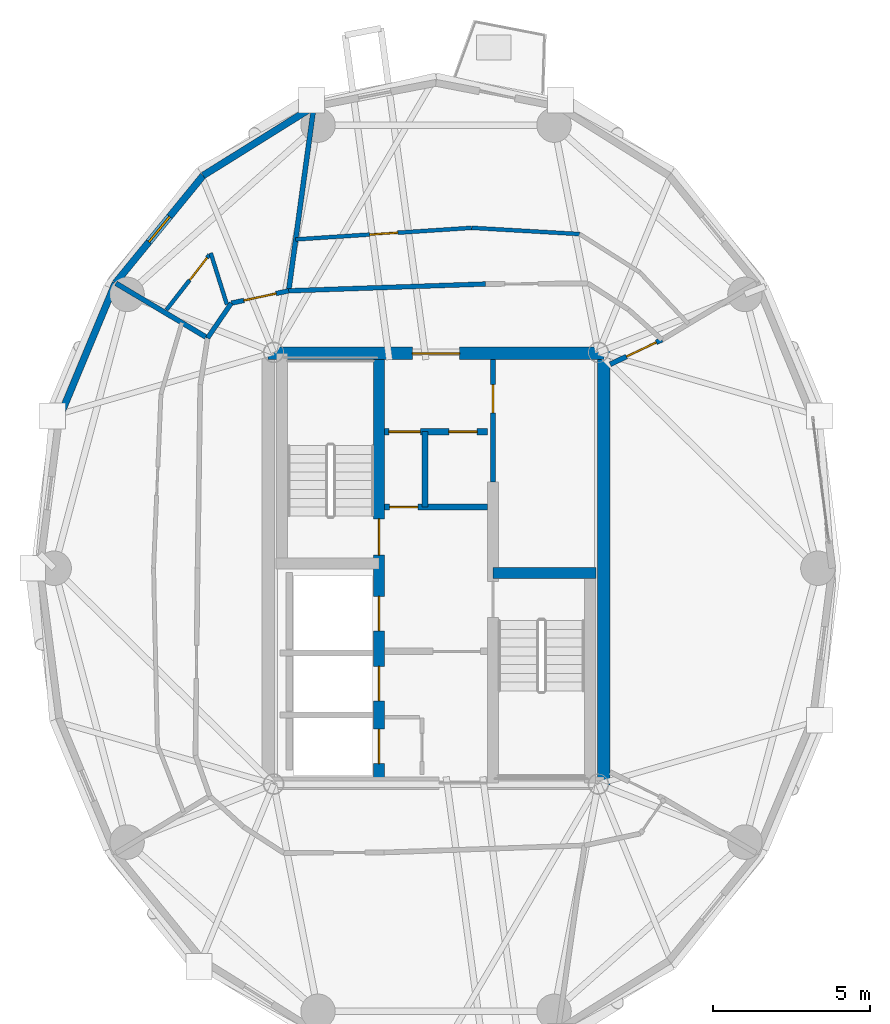
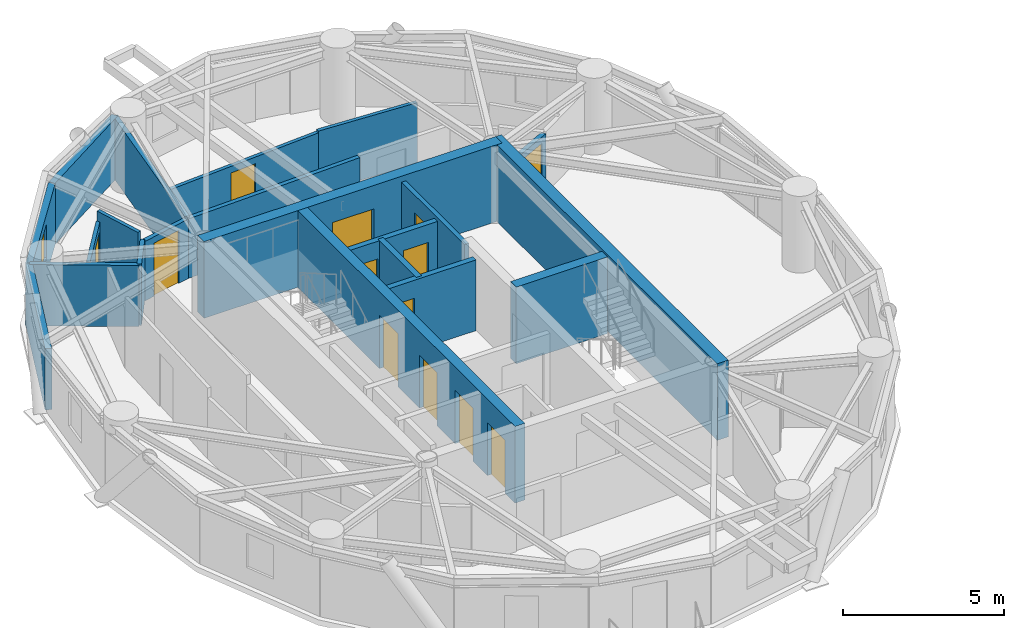
# One storey, part 9 of 16: 21 walls, 13 doors, 1 window, 14 openings.
"""IFC4 building model written with IfcOpenShell, lengths in metres."""

from ifc_helpers import new_model, si_unit, direction, frame, frame_2d, origin, place, context, subcontext, project, spatial, rectangle, extrude, source, transform, mapped, material, layer, layer_set, type_object, element, fill, save


model = new_model("IFC4")

# Units and contexts
model_context = context("Model", 3, precision=1e-05, world=origin(), true_north=direction((0.0, 1.0)))
body_context = subcontext(model_context, "Body", "Model", "MODEL_VIEW")
ifc_project = project(units=[si_unit("LENGTHUNIT", "METRE"), si_unit("AREAUNIT", "SQUARE_METRE"), si_unit("VOLUMEUNIT", "CUBIC_METRE"), si_unit("PLANEANGLEUNIT", "RADIAN"), si_unit("MASSUNIT", "GRAM", prefix="KILO")], contexts=[model_context])

# Site, building, storey
site_placement = place(None, origin())
site = spatial("IfcSite", under=ifc_project, at=site_placement, CompositionType="ELEMENT")
building_placement = place(site_placement, origin())
building = spatial("IfcBuilding", under=site, at=building_placement, Name="Cununo Teusaquillo Station Towers", CompositionType="ELEMENT")
storey_placement = place(building_placement, frame((0.0, 0.0, 214.1201171875)))
storey = spatial("IfcBuildingStorey", under=building, at=storey_placement, Name="L68", CompositionType="ELEMENT", Elevation=214.1201171875)

# Wall, openings, doors
ifc_material_1 = material(Name="Concrete C50/60", Category="concrete")
ifc_layer_1 = layer(ifc_material_1, 0.35009765625)
ifc_layer_set_1 = layer_set([ifc_layer_1], Name="Concrete C50/60")
wall_type_1 = type_object("IfcWallType", Name="WL-CORE-350", PredefinedType="SHEAR", material=ifc_layer_set_1)
wall_1_placement = place(storey_placement, frame((14.68505859375, 17.64990234375, 0.0), z_axis=(0.0, 0.0, 1.0), x_axis=(0.0, 1.0, 0.0)))
wall_1 = element("IfcWall", 1, at=wall_1_placement, inside=storey, type_object=wall_type_1, Name="L68 Tower A Core Shear Wall IW", PredefinedType="SHEAR", context=body_context, shape_type="SweptSolid", body=[
    extrude(rectangle(XDim=13.7001953125, YDim=0.35009765625, at=frame_2d((6.85009765625, 0.0))), origin(), (0.0, 0.0, 1.0), 2.909912109375),
])
shared_shape_1 = source(origin(), body_context, "Body", "SweptSolid", [
    extrude(rectangle(XDim=1.10009765625, YDim=2.014892578125, at=frame_2d((0.550048828125, 1.00732421875))), frame((0.0, 0.18505859375, 0.0), z_axis=(0.0, -1.0, 0.0), x_axis=(1.0, 0.0, 0.0)), (0.0, 0.0, 1.0), 0.3701171875),
])
opening_1_placement = place(wall_1_placement, frame((4.85009765625, 0.0, 0.0)))
opening_1 = element("IfcOpeningElement", 2, at=opening_1_placement, cuts=wall_1, Name="Opening LD-01", PredefinedType="OPENING", context=body_context, shape_type="MappedRepresentation", body=[
    mapped(shared_shape_1, transform((0.0, 0.0, 0.0), x_axis=(1.0, 0.0, 0.0), y_axis=(0.0, 1.0, 0.0), z_axis=(0.0, 0.0, 1.0), scale=1.0)),
])
opening_2_placement = place(wall_1_placement, frame((0.625, 0.0, 0.0)))
opening_2 = element("IfcOpeningElement", 3, at=opening_2_placement, cuts=wall_1, Name="Opening LD-01", PredefinedType="OPENING", context=body_context, shape_type="MappedRepresentation", body=[
    mapped(shared_shape_1, transform((0.0, 0.0, 0.0), x_axis=(1.0, 0.0, 0.0), y_axis=(0.0, 1.0, 0.0), z_axis=(0.0, 0.0, 1.0), scale=1.0)),
])
opening_3_placement = place(wall_1_placement, frame((2.625, 0.0, 0.0)))
opening_3 = element("IfcOpeningElement", 4, at=opening_3_placement, cuts=wall_1, Name="Opening LD-01", PredefinedType="OPENING", context=body_context, shape_type="MappedRepresentation", body=[
    mapped(shared_shape_1, transform((0.0, 0.0, 0.0), x_axis=(1.0, 0.0, 0.0), y_axis=(0.0, 1.0, 0.0), z_axis=(0.0, 0.0, 1.0), scale=1.0)),
])
shared_shape_2 = source(origin(), body_context, "Body", "SweptSolid", [
    extrude(rectangle(XDim=1.14990234375, YDim=2.02001953125, at=frame_2d((0.574951171875, 1.010009765625))), frame((0.0, 0.18505859375, 0.0), z_axis=(0.0, -1.0, 0.0), x_axis=(1.0, 0.0, 0.0)), (0.0, 0.0, 1.0), 0.3701171875),
])
opening_4_placement = place(wall_1_placement, frame((7.27001953125, 0.0, 0.0)))
opening_4 = element("IfcOpeningElement", 5, at=opening_4_placement, cuts=wall_1, Name="Opening D-ST1", PredefinedType="OPENING", context=body_context, shape_type="MappedRepresentation", body=[
    mapped(shared_shape_2, transform((0.0, 0.0, 0.0), x_axis=(1.0, 0.0, 0.0), y_axis=(0.0, 1.0, 0.0), z_axis=(0.0, 0.0, 1.0), scale=1.0)),
])
ifc_material_2 = material(Name="Galvanised fire-rated hollow steel door assembly", Category="steel")
door_type_1 = type_object("IfcDoorType", Name="DR-LIFT-1100", OperationType="SLIDING_TO_LEFT", PredefinedType="DOOR", material=ifc_material_2)
shared_shape_3 = source(origin(), body_context, "Body", "SweptSolid", [
    extrude(rectangle(XDim=1.10009765625, YDim=2.014892578125, at=frame_2d((0.550048828125, 1.00732421875))), frame((0.0, 0.02490234375, 0.0), z_axis=(0.0, -1.0, 0.0), x_axis=(1.0, 0.0, 0.0)), (0.0, 0.0, 1.0), 0.050048828125),
])
door_1_placement = place(opening_1_placement, origin())
door_1 = element("IfcDoor", 6, at=door_1_placement, inside=storey, type_object=door_type_1, Name="L68 Lift FL-T1 Sliding Landing Door", OperationType="SLIDING_TO_LEFT", OverallHeight=2.014892578125, OverallWidth=1.10009765625, PredefinedType="DOOR", context=body_context, shape_type="MappedRepresentation", body=[
    mapped(shared_shape_3, transform((0.0, 0.0, 0.0), x_axis=(1.0, 0.0, 0.0), y_axis=(0.0, 1.0, 0.0), z_axis=(0.0, 0.0, 1.0), scale=1.0)),
])
fill(opening_1, door_1)
door_2_placement = place(opening_2_placement, origin())
door_2 = element("IfcDoor", 7, at=door_2_placement, inside=storey, type_object=door_type_1, Name="L68 Lift PL-T1-H1 Sliding Landing Door", OperationType="SLIDING_TO_LEFT", OverallHeight=2.014892578125, OverallWidth=1.10009765625, PredefinedType="DOOR", context=body_context, shape_type="MappedRepresentation", body=[
    mapped(shared_shape_3, transform((0.0, 0.0, 0.0), x_axis=(1.0, 0.0, 0.0), y_axis=(0.0, 1.0, 0.0), z_axis=(0.0, 0.0, 1.0), scale=1.0)),
])
fill(opening_2, door_2)
door_3_placement = place(opening_3_placement, origin())
door_3 = element("IfcDoor", 8, at=door_3_placement, inside=storey, type_object=door_type_1, Name="L68 Lift PL-T1-H2 Sliding Landing Door", OperationType="SLIDING_TO_RIGHT", OverallHeight=2.014892578125, OverallWidth=1.10009765625, PredefinedType="DOOR", context=body_context, shape_type="MappedRepresentation", body=[
    mapped(shared_shape_3, transform((0.0, 0.0, 0.0), x_axis=(1.0, 0.0, 0.0), y_axis=(0.0, 1.0, 0.0), z_axis=(0.0, 0.0, 1.0), scale=1.0)),
])
fill(opening_3, door_3)
ifc_material_3 = material(Name="Galvanised fire-rated hollow steel door assembly", Category="steel")
door_type_2 = type_object("IfcDoorType", Name="DR-STAIR-1150", OperationType="NOTDEFINED", PredefinedType="DOOR", material=ifc_material_3)
shared_shape_4 = source(origin(), body_context, "Body", "SweptSolid", [
    extrude(rectangle(XDim=1.14990234375, YDim=2.02001953125, at=frame_2d((0.574951171875, 1.010009765625))), frame((0.0, 0.02490234375, 0.0), z_axis=(0.0, -1.0, 0.0), x_axis=(1.0, 0.0, 0.0)), (0.0, 0.0, 1.0), 0.050048828125),
])
door_4_placement = place(opening_4_placement, origin())
door_4 = element("IfcDoor", 9, at=door_4_placement, inside=storey, type_object=door_type_2, Name="L68 Tower A Exit Stair 1 Fire Door", OperationType="SINGLE_SWING_RIGHT", OverallHeight=2.02001953125, OverallWidth=1.14990234375, PredefinedType="DOOR", context=body_context, shape_type="MappedRepresentation", body=[
    mapped(shared_shape_4, transform((0.0, 0.0, 0.0), x_axis=(1.0, 0.0, 0.0), y_axis=(0.0, 1.0, 0.0), z_axis=(0.0, 0.0, 1.0), scale=1.0)),
])
fill(opening_4, door_4)

# Walls
wall_2_placement = place(storey_placement, frame((18.31494140625, 24.344970703125, 0.0), z_axis=(0.0, 0.0, 1.0), x_axis=(1.0, 0.0, 0.0)))
element("IfcWall", 10, at=wall_2_placement, inside=storey, type_object=wall_type_1, Name="L68 Tower A Core Shear Wall ST2N", PredefinedType="SHEAR", context=body_context, shape_type="SweptSolid", body=[
    extrude(rectangle(XDim=3.28515625, YDim=0.35009765625, at=frame_2d((1.642578125, 0.0))), origin(), (0.0, 0.0, 1.0), 2.909912109375),
])
ifc_material_4 = material(Name="Concrete C50/60", Category="concrete")
ifc_layer_2 = layer(ifc_material_4, 0.39990234375)
ifc_layer_set_2 = layer_set([ifc_layer_2], Name="Concrete C50/60")
wall_type_2 = type_object("IfcWallType", Name="WL-CORE-400", PredefinedType="SHEAR", material=ifc_layer_set_2)
wall_3_placement = place(storey_placement, frame((21.85009765625, 17.449951171875, 0.0), z_axis=(0.0, 0.0, 1.0), x_axis=(0.0, 1.0, 0.0)))
element("IfcWall", 11, at=wall_3_placement, inside=storey, type_object=wall_type_2, Name="L68 Tower A Core Shear Wall E", PredefinedType="SHEAR", context=body_context, shape_type="SweptSolid", body=[
    extrude(rectangle(XDim=14.10009765625, YDim=0.39990234375, at=frame_2d((7.050048828125, 0.0))), origin(), (0.0, 0.0, 1.0), 2.909912109375),
])

# Wall, opening, door
wall_4_placement = place(storey_placement, frame((11.14990234375, 31.35009765625, 0.0), z_axis=(0.0, 0.0, 1.0), x_axis=(1.0, 0.0, 0.0)))
wall_4 = element("IfcWall", 12, at=wall_4_placement, inside=storey, type_object=wall_type_2, Name="L68 Tower A Core Shear Wall N", PredefinedType="SHEAR", context=body_context, shape_type="SweptSolid", body=[
    extrude(rectangle(XDim=10.7001953125, YDim=0.39990234375, at=frame_2d((5.35009765625, 0.0))), origin(), (0.0, 0.0, 1.0), 2.909912109375),
])
shared_shape_5 = source(origin(), body_context, "Body", "SweptSolid", [
    extrude(rectangle(XDim=1.5, YDim=2.02001953125, at=frame_2d((0.75, 1.010009765625))), frame((0.0, 0.2099609375, 0.0), z_axis=(0.0, -1.0, 0.0), x_axis=(1.0, 0.0, 0.0)), (0.0, 0.0, 1.0), 0.419921875),
])
opening_5_placement = place(wall_4_placement, frame((4.60009765625, 0.0, 0.0)))
opening_5 = element("IfcOpeningElement", 13, at=opening_5_placement, cuts=wall_4, Name="Opening D-LB1", PredefinedType="OPENING", context=body_context, shape_type="MappedRepresentation", body=[
    mapped(shared_shape_5, transform((0.0, 0.0, 0.0), x_axis=(1.0, 0.0, 0.0), y_axis=(0.0, 1.0, 0.0), z_axis=(0.0, 0.0, 1.0), scale=1.0)),
])
ifc_material_5 = material(Name="Galvanised fire-rated hollow steel door assembly", Category="steel")
door_type_3 = type_object("IfcDoorType", Name="DR-LOBBY-1500", OperationType="DOUBLE_DOOR_SINGLE_SWING", PredefinedType="DOOR", material=ifc_material_5)
shared_shape_6 = source(origin(), body_context, "Body", "SweptSolid", [
    extrude(rectangle(XDim=1.5, YDim=2.02001953125, at=frame_2d((0.75, 1.010009765625))), frame((0.0, 0.02490234375, 0.0), z_axis=(0.0, -1.0, 0.0), x_axis=(1.0, 0.0, 0.0)), (0.0, 0.0, 1.0), 0.050048828125),
])
door_5_placement = place(opening_5_placement, origin())
door_5 = element("IfcDoor", 14, at=door_5_placement, inside=storey, type_object=door_type_3, Name="L68 Tower A North Core Lift Lobby Door", OperationType="DOUBLE_DOOR_SINGLE_SWING", OverallHeight=2.02001953125, OverallWidth=1.5, PredefinedType="DOOR", context=body_context, shape_type="MappedRepresentation", body=[
    mapped(shared_shape_6, transform((0.0, 0.0, 0.0), x_axis=(1.0, 0.0, 0.0), y_axis=(0.0, 1.0, 0.0), z_axis=(0.0, 0.0, 1.0), scale=1.0)),
])
fill(opening_5, door_5)

# Wall
ifc_material_6 = material(Name="Precast concrete C40/50", Category="concrete")
ifc_layer_3 = layer(ifc_material_6, 0.219970703125)
ifc_layer_set_3 = layer_set([ifc_layer_3], Name="Precast concrete C40/50")
wall_type_3 = type_object("IfcWallType", Name="WL-EXT-220", PredefinedType="SOLIDWALL", material=ifc_layer_set_3)
wall_5_placement = place(storey_placement, frame((9.076416015625, 37.015380859375, 0.0), z_axis=(0.0, 0.0, 1.0), x_axis=(0.848318713376, 0.529485939886, 0.0)))
element("IfcWall", 15, at=wall_5_placement, inside=storey, type_object=wall_type_3, Name="L68 Tower A Exterior Facade Wall C06", PredefinedType="SOLIDWALL", context=body_context, shape_type="SweptSolid", body=[
    extrude(rectangle(XDim=4.150390625, YDim=0.219970703125, at=frame_2d((2.0751953125, 0.0))), origin(), (0.0, 0.0, 1.0), 2.32177734375),
])

# Wall, opening, window
wall_6_placement = place(storey_placement, frame((6.281982421875, 33.593017578125, 0.0), z_axis=(0.0, 0.0, 1.0), x_axis=(0.632467166636, 0.774587169483, 0.0)))
wall_6 = element("IfcWall", 16, at=wall_6_placement, inside=storey, type_object=wall_type_3, Name="L68 Tower A Exterior Facade Wall C07", PredefinedType="SOLIDWALL", context=body_context, shape_type="SweptSolid", body=[
    extrude(rectangle(XDim=4.418212890625, YDim=0.219970703125, at=frame_2d((2.208984375, 0.0))), origin(), (0.0, 0.0, 1.0), 2.32177734375),
])
shared_shape_7 = source(origin(), body_context, "Body", "SweptSolid", [
    extrude(rectangle(XDim=1.050048828125, YDim=1.300048828125, at=frame_2d((0.52490234375, 0.64990234375))), frame((0.0, 0.119873046875, 0.0), z_axis=(0.0, -1.0, 0.0), x_axis=(1.0, 0.0, 0.0)), (0.0, 0.0, 1.0), 0.239990234375),
])
opening_6_placement = place(wall_6_placement, frame((1.68408203125, 0.0, 0.64990234375)))
opening_6 = element("IfcOpeningElement", 17, at=opening_6_placement, cuts=wall_6, Name="Opening WN-04", PredefinedType="OPENING", context=body_context, shape_type="MappedRepresentation", body=[
    mapped(shared_shape_7, transform((0.0, 0.0, 0.0), x_axis=(1.0, 0.0, 0.0), y_axis=(0.0, 1.0, 0.0), z_axis=(0.0, 0.0, 1.0), scale=1.0)),
])
ifc_material_7 = material(Name="Operable acoustic tinted low-E double glazing", Category="glass")
window_type = type_object("IfcWindowType", Name="WIN-BAL-1050", PartitioningType="SINGLE_PANEL", PredefinedType="WINDOW", material=ifc_material_7)
shared_shape_8 = source(origin(), body_context, "Body", "SweptSolid", [
    extrude(rectangle(XDim=1.050048828125, YDim=1.300048828125, at=frame_2d((0.52490234375, 0.64990234375))), frame((0.0, 0.030029296875, 0.0), z_axis=(0.0, -1.0, 0.0), x_axis=(1.0, 0.0, 0.0)), (0.0, 0.0, 1.0), 0.06005859375),
])
window_placement = place(opening_6_placement, origin())
window = element("IfcWindow", 18, at=window_placement, inside=storey, type_object=window_type, Name="L68 Tower A Facade Window C07", OverallHeight=1.300048828125, OverallWidth=1.050048828125, PartitioningType="SINGLE_PANEL", PredefinedType="WINDOW", context=body_context, shape_type="MappedRepresentation", body=[
    mapped(shared_shape_8, transform((0.0, 0.0, 0.0), x_axis=(1.0, 0.0, 0.0), y_axis=(0.0, 1.0, 0.0), z_axis=(0.0, 0.0, 1.0), scale=1.0)),
])
fill(opening_6, window)

# Walls
wall_7_placement = place(storey_placement, frame((4.48828125, 29.280517578125, 0.0), z_axis=(0.0, 0.0, 1.0), x_axis=(0.384036305194, 0.923317993052, 0.0)))
element("IfcWall", 19, at=wall_7_placement, inside=storey, type_object=wall_type_3, Name="L68 Tower A Exterior Facade Wall C08", PredefinedType="SOLIDWALL", context=body_context, shape_type="SweptSolid", body=[
    extrude(rectangle(XDim=4.670654296875, YDim=0.219970703125, at=frame_2d((2.33544921875, 0.0))), origin(), (0.0, 0.0, 1.0), 2.32177734375),
])
ifc_material_8 = material(Name="Fire-rated gypsum plasterboard partition assembly", Category="gypsum")
ifc_layer_4 = layer(ifc_material_8, 0.125)
ifc_layer_set_4 = layer_set([ifc_layer_4], Name="Fire-rated gypsum plasterboard partition assembly")
wall_type_4 = type_object("IfcWallType", Name="WL-PART-125", PredefinedType="PARTITIONING", material=ifc_layer_set_4)
wall_8_placement = place(storey_placement, frame((21.078369140625, 35.150390625, 0.0), z_axis=(0.0, 0.0, 1.0), x_axis=(-0.99833900121, 0.057612834184, 0.0)))
element("IfcWall", 20, at=wall_8_placement, inside=storey, type_object=wall_type_4, Name="L68 Tower A Summit Champagne & Dining Salon Concentric Partition Wall C04", PredefinedType="PARTITIONING", context=body_context, shape_type="SweptSolid", body=[
    extrude(rectangle(XDim=3.445068359375, YDim=0.125, at=frame_2d((1.72265625, 0.0))), origin(), (0.0, 0.0, 1.0), 2.32177734375),
])

# Wall, opening, door
wall_9_placement = place(storey_placement, frame((17.638916015625, 35.348876953125, 0.0), z_axis=(0.0, 0.0, 1.0), x_axis=(-0.997849042159, -0.065553711275, 0.0)))
wall_9 = element("IfcWall", 21, at=wall_9_placement, inside=storey, type_object=wall_type_4, Name="L68 Tower A Summit Champagne & Dining Salon Concentric Partition Wall C05", PredefinedType="PARTITIONING", context=body_context, shape_type="SweptSolid", body=[
    extrude(rectangle(XDim=5.623779296875, YDim=0.125, at=frame_2d((2.81201171875, 0.0))), origin(), (0.0, 0.0, 1.0), 2.2548828125),
])
shared_shape_9 = source(origin(), body_context, "Body", "SweptSolid", [
    extrude(rectangle(XDim=0.89990234375, YDim=2.0048828125, at=frame_2d((0.449951171875, 1.00244140625))), frame((0.0, 0.072509765625, 0.0), z_axis=(0.0, -1.0, 0.0), x_axis=(1.0, 0.0, 0.0)), (0.0, 0.0, 1.0), 0.14501953125),
])
opening_7_placement = place(wall_9_placement, frame((2.36181640625, 0.0, 0.0)))
opening_7 = element("IfcOpeningElement", 22, at=opening_7_placement, cuts=wall_9, Name="Opening D-IN1", PredefinedType="OPENING", context=body_context, shape_type="MappedRepresentation", body=[
    mapped(shared_shape_9, transform((0.0, 0.0, 0.0), x_axis=(1.0, 0.0, 0.0), y_axis=(0.0, 1.0, 0.0), z_axis=(0.0, 0.0, 1.0), scale=1.0)),
])
ifc_material_9 = material(Name="Acoustic solid-core hardwood leaf assembly", Category="wood")
door_type_4 = type_object("IfcDoorType", Name="DR-INT-900", OperationType="NOTDEFINED", PredefinedType="DOOR", material=ifc_material_9)
shared_shape_10 = source(origin(), body_context, "Body", "SweptSolid", [
    extrude(rectangle(XDim=0.89990234375, YDim=2.0048828125, at=frame_2d((0.449951171875, 1.00244140625))), frame((0.0, 0.02490234375, 0.0), z_axis=(0.0, -1.0, 0.0), x_axis=(1.0, 0.0, 0.0)), (0.0, 0.0, 1.0), 0.050048828125),
])
door_6_placement = place(opening_7_placement, origin())
door_6 = element("IfcDoor", 23, at=door_6_placement, inside=storey, type_object=door_type_4, Name="L68 Tower A Summit Champagne & Dining Salon Connecting Door", OperationType="SINGLE_SWING_RIGHT", OverallHeight=2.0048828125, OverallWidth=0.89990234375, PredefinedType="DOOR", context=body_context, shape_type="MappedRepresentation", body=[
    mapped(shared_shape_10, transform((0.0, 0.0, 0.0), x_axis=(1.0, 0.0, 0.0), y_axis=(0.0, 1.0, 0.0), z_axis=(0.0, 0.0, 1.0), scale=1.0)),
])
fill(opening_7, door_6)

# Wall
wall_10_placement = place(storey_placement, frame((9.83544921875, 32.906005859375, 0.0), z_axis=(0.0, 0.0, 1.0), x_axis=(-0.300376803481, 0.953820620416, 0.0)))
element("IfcWall", 24, at=wall_10_placement, inside=storey, type_object=wall_type_4, Name="L68 Tower A S02 En-suite Side Wall", PredefinedType="PARTITIONING", context=body_context, shape_type="SweptSolid", body=[
    extrude(rectangle(XDim=1.718994140625, YDim=0.125, at=frame_2d((0.859375, 0.0))), origin(), (0.0, 0.0, 1.0), 2.684814453125),
])

# Wall, opening, door
wall_11_placement = place(storey_placement, frame((9.2763671875, 34.49072265625, 0.0), z_axis=(0.0, 0.0, 1.0), x_axis=(-0.615039973806, -0.788495929362, 0.0)))
wall_11 = element("IfcWall", 25, at=wall_11_placement, inside=storey, type_object=wall_type_4, Name="L68 Tower A S02 En-suite Back Wall", PredefinedType="PARTITIONING", context=body_context, shape_type="SweptSolid", body=[
    extrude(rectangle(XDim=2.22802734375, YDim=0.125, at=frame_2d((1.114013671875, 0.0))), origin(), (0.0, 0.0, 1.0), 2.32177734375),
])
opening_8_placement = place(wall_11_placement, frame((0.1201171875, 0.0, 0.0)))
opening_8 = element("IfcOpeningElement", 26, at=opening_8_placement, cuts=wall_11, Name="Opening D-IN1", PredefinedType="OPENING", context=body_context, shape_type="MappedRepresentation", body=[
    mapped(shared_shape_9, transform((0.0, 0.0, 0.0), x_axis=(1.0, 0.0, 0.0), y_axis=(0.0, 1.0, 0.0), z_axis=(0.0, 0.0, 1.0), scale=1.0)),
])
door_7_placement = place(opening_8_placement, origin())
door_7 = element("IfcDoor", 27, at=door_7_placement, inside=storey, type_object=door_type_4, Name="L68 Tower A S02 En-suite Bathroom Door", OperationType="SINGLE_SWING_RIGHT", OverallHeight=2.0048828125, OverallWidth=0.89990234375, PredefinedType="DOOR", context=body_context, shape_type="MappedRepresentation", body=[
    mapped(shared_shape_10, transform((0.0, 0.0, 0.0), x_axis=(1.0, 0.0, 0.0), y_axis=(0.0, 1.0, 0.0), z_axis=(0.0, 0.0, 1.0), scale=1.0)),
])
fill(opening_8, door_7)

# Wall
ifc_material_10 = material(Name="Fire-rated gypsum plasterboard partition assembly", Category="gypsum")
ifc_layer_5 = layer(ifc_material_10, 0.14990234375)
ifc_layer_set_5 = layer_set([ifc_layer_5], Name="Fire-rated gypsum plasterboard partition assembly")
wall_type_5 = type_object("IfcWallType", Name="WL-PART-150", PredefinedType="PARTITIONING", material=ifc_layer_set_5)
wall_12_placement = place(storey_placement, frame((18.081787109375, 33.5595703125, 0.0), z_axis=(0.0, 0.0, 1.0), x_axis=(-0.999399009709, -0.034664382185, 0.0)))
element("IfcWall", 28, at=wall_12_placement, inside=storey, type_object=wall_type_5, Name="L68 Tower A Corridor Ring Wall C05", PredefinedType="PARTITIONING", context=body_context, shape_type="SweptSolid", body=[
    extrude(rectangle(XDim=6.2822265625, YDim=0.14990234375, at=frame_2d((3.14111328125, 0.0))), origin(), (0.0, 0.0, 1.0), 2.2548828125),
])

# Wall, opening, door
wall_13_placement = place(storey_placement, frame((11.80322265625, 33.341796875, 0.0), z_axis=(0.0, 0.0, 1.0), x_axis=(-0.977750742783, -0.209770076483, 0.0)))
wall_13 = element("IfcWall", 29, at=wall_13_placement, inside=storey, type_object=wall_type_5, Name="L68 Tower A Corridor Ring Wall C06", PredefinedType="PARTITIONING", context=body_context, shape_type="SweptSolid", body=[
    extrude(rectangle(XDim=1.867919921875, YDim=0.14990234375, at=frame_2d((0.93408203125, 0.0))), origin(), (0.0, 0.0, 1.0), 2.2548828125),
])
shared_shape_11 = source(origin(), body_context, "Body", "SweptSolid", [
    extrude(rectangle(XDim=1.050048828125, YDim=2.014892578125, at=frame_2d((0.52490234375, 1.00732421875))), frame((0.0, 0.0849609375, 0.0), z_axis=(0.0, -1.0, 0.0), x_axis=(1.0, 0.0, 0.0)), (0.0, 0.0, 1.0), 0.169921875),
])
opening_9_placement = place(wall_13_placement, frame((0.4091796875, 0.0, 0.0)))
opening_9 = element("IfcOpeningElement", 30, at=opening_9_placement, cuts=wall_13, Name="Opening D-SU1", PredefinedType="OPENING", context=body_context, shape_type="MappedRepresentation", body=[
    mapped(shared_shape_11, transform((0.0, 0.0, 0.0), x_axis=(1.0, 0.0, 0.0), y_axis=(0.0, 1.0, 0.0), z_axis=(0.0, 0.0, 1.0), scale=1.0)),
])
ifc_material_11 = material(Name="Acoustic solid-core hardwood leaf assembly", Category="wood")
door_type_5 = type_object("IfcDoorType", Name="DR-SUITE-1050", OperationType="NOTDEFINED", PredefinedType="DOOR", material=ifc_material_11)
shared_shape_12 = source(origin(), body_context, "Body", "SweptSolid", [
    extrude(rectangle(XDim=1.050048828125, YDim=2.014892578125, at=frame_2d((0.52490234375, 1.00732421875))), frame((0.0, 0.02490234375, 0.0), z_axis=(0.0, -1.0, 0.0), x_axis=(1.0, 0.0, 0.0)), (0.0, 0.0, 1.0), 0.050048828125),
])
door_8_placement = place(opening_9_placement, origin())
door_8 = element("IfcDoor", 31, at=door_8_placement, inside=storey, type_object=door_type_5, Name="L68 Tower A Crown Horizon Hotel Suite Entrance Door", OperationType="SINGLE_SWING_LEFT", OverallHeight=2.014892578125, OverallWidth=1.050048828125, PredefinedType="DOOR", context=body_context, shape_type="MappedRepresentation", body=[
    mapped(shared_shape_12, transform((0.0, 0.0, 0.0), x_axis=(1.0, 0.0, 0.0), y_axis=(0.0, 1.0, 0.0), z_axis=(0.0, 0.0, 1.0), scale=1.0)),
])
fill(opening_9, door_8)

# Wall
wall_14_placement = place(storey_placement, frame((9.976806640625, 32.949951171875, 0.0), z_axis=(0.0, 0.0, 1.0), x_axis=(-0.563291804539, -0.826258036535, 0.0)))
element("IfcWall", 32, at=wall_14_placement, inside=storey, type_object=wall_type_5, Name="L68 Tower A Corridor Ring Wall C07", PredefinedType="PARTITIONING", context=body_context, shape_type="SweptSolid", body=[
    extrude(rectangle(XDim=1.34619140625, YDim=0.14990234375, at=frame_2d((0.673095703125, 0.0))), origin(), (0.0, 0.0, 1.0), 2.32177734375),
])

# Wall, opening, door
ifc_material_12 = material(Name="Fire-rated gypsum plasterboard partition assembly", Category="gypsum")
ifc_layer_6 = layer(ifc_material_12, 0.159912109375)
ifc_layer_set_6 = layer_set([ifc_layer_6], Name="Fire-rated gypsum plasterboard partition assembly")
wall_type_6 = type_object("IfcWallType", Name="WL-PART-160", PredefinedType="PARTITIONING", material=ifc_layer_set_6)
wall_15_placement = place(storey_placement, frame((18.31494140625, 27.25, 0.0), z_axis=(0.0, 0.0, 1.0), x_axis=(0.0, 1.0, 0.0)))
wall_15 = element("IfcWall", 33, at=wall_15_placement, inside=storey, type_object=wall_type_6, Name="L68 Tower A Reclaimed Core Bay Entry Wall", PredefinedType="PARTITIONING", context=body_context, shape_type="SweptSolid", body=[
    extrude(rectangle(XDim=3.89990234375, YDim=0.159912109375, at=frame_2d((1.949951171875, 0.0))), origin(), (0.0, 0.0, 1.0), 2.684814453125),
])
shared_shape_13 = source(origin(), body_context, "Body", "SweptSolid", [
    extrude(rectangle(XDim=0.89990234375, YDim=2.0048828125, at=frame_2d((0.449951171875, 1.00244140625))), frame((0.0, 0.08984375, 0.0), z_axis=(0.0, -1.0, 0.0), x_axis=(1.0, 0.0, 0.0)), (0.0, 0.0, 1.0), 0.179931640625),
])
opening_10_placement = place(wall_15_placement, frame((2.199951171875, 0.0, 0.0)))
opening_10 = element("IfcOpeningElement", 34, at=opening_10_placement, cuts=wall_15, Name="Opening D-IN1", PredefinedType="OPENING", context=body_context, shape_type="MappedRepresentation", body=[
    mapped(shared_shape_13, transform((0.0, 0.0, 0.0), x_axis=(1.0, 0.0, 0.0), y_axis=(0.0, 1.0, 0.0), z_axis=(0.0, 0.0, 1.0), scale=1.0)),
])
door_9_placement = place(opening_10_placement, origin())
door_9 = element("IfcDoor", 35, at=door_9_placement, inside=storey, type_object=door_type_4, Name="L68 Tower A Reclaimed Core Lounge Door", OperationType="SINGLE_SWING_RIGHT", OverallHeight=2.0048828125, OverallWidth=0.89990234375, PredefinedType="DOOR", context=body_context, shape_type="MappedRepresentation", body=[
    mapped(shared_shape_10, transform((0.0, 0.0, 0.0), x_axis=(1.0, 0.0, 0.0), y_axis=(0.0, 1.0, 0.0), z_axis=(0.0, 0.0, 1.0), scale=1.0)),
])
fill(opening_10, door_9)

# Walls
wall_16_placement = place(storey_placement, frame((11.80322265625, 33.341796875, 0.0), z_axis=(0.0, 0.0, 1.0), x_axis=(0.135452591041, 0.990783828885, 0.0)))
element("IfcWall", 36, at=wall_16_placement, inside=storey, type_object=wall_type_6, Name="L68 Tower A Radial Suite Partition R02", PredefinedType="PARTITIONING", context=body_context, shape_type="SweptSolid", body=[
    extrude(rectangle(XDim=5.906494140625, YDim=0.159912109375, at=frame_2d((2.953125, 0.0))), origin(), (0.0, 0.0, 1.0), 2.32177734375),
])
wall_17_placement = place(storey_placement, frame((9.218505859375, 31.837646484375, 0.0), z_axis=(0.0, 0.0, 1.0), x_axis=(-0.858586714977, 0.512668365384, 0.0)))
element("IfcWall", 37, at=wall_17_placement, inside=storey, type_object=wall_type_6, Name="L68 Tower A Radial Suite Partition R03", PredefinedType="PARTITIONING", context=body_context, shape_type="SweptSolid", body=[
    extrude(rectangle(XDim=3.401123046875, YDim=0.159912109375, at=frame_2d((1.70068359375, 0.0))), origin(), (0.0, 0.0, 1.0), 2.32177734375),
])

# Wall, opening, door
wall_18_placement = place(storey_placement, frame((22.050048828125, 31.0, 0.0), z_axis=(0.0, 0.0, 1.0), x_axis=(0.903013459407, 0.429612257891, 0.0)))
wall_18 = element("IfcWall", 38, at=wall_18_placement, inside=storey, type_object=wall_type_6, Name="L68 Tower A East Salon Corridor Portal Wall NE", PredefinedType="PARTITIONING", context=body_context, shape_type="SweptSolid", body=[
    extrude(rectangle(XDim=1.82861328125, YDim=0.159912109375, at=frame_2d((0.914306640625, 0.0))), origin(), (0.0, 0.0, 1.0), 2.2548828125),
])
shared_shape_14 = source(origin(), body_context, "Body", "SweptSolid", [
    extrude(rectangle(XDim=1.050048828125, YDim=2.014892578125, at=frame_2d((0.52490234375, 1.00732421875))), frame((0.0, 0.08984375, 0.0), z_axis=(0.0, -1.0, 0.0), x_axis=(1.0, 0.0, 0.0)), (0.0, 0.0, 1.0), 0.179931640625),
])
opening_11_placement = place(wall_18_placement, frame((0.57861328125, 0.0, 0.0)))
opening_11 = element("IfcOpeningElement", 39, at=opening_11_placement, cuts=wall_18, Name="Opening D-SU1", PredefinedType="OPENING", context=body_context, shape_type="MappedRepresentation", body=[
    mapped(shared_shape_14, transform((0.0, 0.0, 0.0), x_axis=(1.0, 0.0, 0.0), y_axis=(0.0, 1.0, 0.0), z_axis=(0.0, 0.0, 1.0), scale=1.0)),
])
door_10_placement = place(opening_11_placement, origin())
door_10 = element("IfcDoor", 40, at=door_10_placement, inside=storey, type_object=door_type_5, Name="L68 Tower A East Panorama Sky Salon Door NE", OperationType="SINGLE_SWING_LEFT", OverallHeight=2.014892578125, OverallWidth=1.050048828125, PredefinedType="DOOR", context=body_context, shape_type="MappedRepresentation", body=[
    mapped(shared_shape_12, transform((0.0, 0.0, 0.0), x_axis=(1.0, 0.0, 0.0), y_axis=(0.0, 1.0, 0.0), z_axis=(0.0, 0.0, 1.0), scale=1.0)),
])
fill(opening_11, door_10)

ifc_material_13 = material(Name="Fire-rated gypsum plasterboard partition assembly", Category="gypsum")
ifc_layer_7 = layer(ifc_material_13, 0.199951171875)
ifc_layer_set_7 = layer_set([ifc_layer_7], Name="Fire-rated gypsum plasterboard partition assembly")
wall_type_7 = type_object("IfcWallType", Name="WL-PART-200", PredefinedType="PARTITIONING", material=ifc_layer_set_7)
wall_19_placement = place(storey_placement, frame((14.860107421875, 26.449951171875, 0.0), z_axis=(0.0, 0.0, 1.0), x_axis=(1.0, 0.0, 0.0)))
wall_19 = element("IfcWall", 41, at=wall_19_placement, inside=storey, type_object=wall_type_7, Name="L68 Tower A Firefighting Lift Lobby North Fire Wall", PredefinedType="PARTITIONING", context=body_context, shape_type="SweptSolid", body=[
    extrude(rectangle(XDim=3.27978515625, YDim=0.199951171875, at=frame_2d((1.639892578125, 0.0))), origin(), (0.0, 0.0, 1.0), 2.684814453125),
])
shared_shape_15 = source(origin(), body_context, "Body", "SweptSolid", [
    extrude(rectangle(XDim=0.89990234375, YDim=2.0048828125, at=frame_2d((0.449951171875, 1.00244140625))), frame((0.0, 0.10986328125, 0.0), z_axis=(0.0, -1.0, 0.0), x_axis=(1.0, 0.0, 0.0)), (0.0, 0.0, 1.0), 0.219970703125),
])
opening_12_placement = place(wall_19_placement, frame((0.159912109375, 0.0, 0.0)))
opening_12 = element("IfcOpeningElement", 42, at=opening_12_placement, cuts=wall_19, Name="Opening D-SR1", PredefinedType="OPENING", context=body_context, shape_type="MappedRepresentation", body=[
    mapped(shared_shape_15, transform((0.0, 0.0, 0.0), x_axis=(1.0, 0.0, 0.0), y_axis=(0.0, 1.0, 0.0), z_axis=(0.0, 0.0, 1.0), scale=1.0)),
])
ifc_material_14 = material(Name="Galvanised fire-rated hollow steel door assembly", Category="steel")
door_type_6 = type_object("IfcDoorType", Name="DR-STORE-900", OperationType="NOTDEFINED", PredefinedType="DOOR", material=ifc_material_14)
door_11_placement = place(opening_12_placement, origin())
door_11 = element("IfcDoor", 43, at=door_11_placement, inside=storey, type_object=door_type_6, Name="L68 Tower A Stair 1 Protected Vestibule South Door", OperationType="SINGLE_SWING_RIGHT", OverallHeight=2.0048828125, OverallWidth=0.89990234375, PredefinedType="DOOR", context=body_context, shape_type="MappedRepresentation", body=[
    mapped(shared_shape_10, transform((0.0, 0.0, 0.0), x_axis=(1.0, 0.0, 0.0), y_axis=(0.0, 1.0, 0.0), z_axis=(0.0, 0.0, 1.0), scale=1.0)),
])
fill(opening_12, door_11)

# Wall
wall_20_placement = place(storey_placement, frame((16.14990234375, 26.449951171875, 0.0), z_axis=(0.0, 0.0, 1.0), x_axis=(0.0, 1.0, 0.0)))
element("IfcWall", 44, at=wall_20_placement, inside=storey, type_object=wall_type_7, Name="L68 Tower A Stair 1 Vestibule Partition Wall", PredefinedType="PARTITIONING", context=body_context, shape_type="SweptSolid", body=[
    extrude(rectangle(XDim=2.400146484375, YDim=0.199951171875, at=frame_2d((1.2001953125, 0.0))), origin(), (0.0, 0.0, 1.0), 2.684814453125),
])

# Wall, openings, doors
wall_21_placement = place(storey_placement, frame((14.860107421875, 28.85009765625, 0.0), z_axis=(0.0, 0.0, 1.0), x_axis=(1.0, 0.0, 0.0)))
wall_21 = element("IfcWall", 45, at=wall_21_placement, inside=storey, type_object=wall_type_7, Name="L68 Tower A North Lift Lobby South Fire Wall", PredefinedType="PARTITIONING", context=body_context, shape_type="SweptSolid", body=[
    extrude(rectangle(XDim=3.27978515625, YDim=0.199951171875, at=frame_2d((1.639892578125, 0.0))), origin(), (0.0, 0.0, 1.0), 2.684814453125),
])
shared_shape_16 = source(origin(), body_context, "Body", "SweptSolid", [
    extrude(rectangle(XDim=1.0, YDim=2.014892578125, at=frame_2d((0.5, 1.00732421875))), frame((0.0, 0.10986328125, 0.0), z_axis=(0.0, -1.0, 0.0), x_axis=(1.0, 0.0, 0.0)), (0.0, 0.0, 1.0), 0.219970703125),
])
opening_13_placement = place(wall_21_placement, frame((0.139892578125, 0.0, 0.0)))
opening_13 = element("IfcOpeningElement", 46, at=opening_13_placement, cuts=wall_21, Name="Opening D-AC1", PredefinedType="OPENING", context=body_context, shape_type="MappedRepresentation", body=[
    mapped(shared_shape_16, transform((0.0, 0.0, 0.0), x_axis=(1.0, 0.0, 0.0), y_axis=(0.0, 1.0, 0.0), z_axis=(0.0, 0.0, 1.0), scale=1.0)),
])
opening_14_placement = place(wall_21_placement, frame((2.050048828125, 0.0, 0.0)))
opening_14 = element("IfcOpeningElement", 47, at=opening_14_placement, cuts=wall_21, Name="Opening D-SR1", PredefinedType="OPENING", context=body_context, shape_type="MappedRepresentation", body=[
    mapped(shared_shape_15, transform((0.0, 0.0, 0.0), x_axis=(1.0, 0.0, 0.0), y_axis=(0.0, 1.0, 0.0), z_axis=(0.0, 0.0, 1.0), scale=1.0)),
])
door_12_placement = place(opening_14_placement, origin())
door_12 = element("IfcDoor", 48, at=door_12_placement, inside=storey, type_object=door_type_6, Name="L68 Tower A Core Housekeeping & Linen Store Door", OperationType="SINGLE_SWING_LEFT", OverallHeight=2.0048828125, OverallWidth=0.89990234375, PredefinedType="DOOR", context=body_context, shape_type="MappedRepresentation", body=[
    mapped(shared_shape_10, transform((0.0, 0.0, 0.0), x_axis=(1.0, 0.0, 0.0), y_axis=(0.0, 1.0, 0.0), z_axis=(0.0, 0.0, 1.0), scale=1.0)),
])
fill(opening_14, door_12)
ifc_material_15 = material(Name="Acoustic solid-core hardwood leaf assembly", Category="wood")
door_type_7 = type_object("IfcDoorType", Name="DR-ACC-1000", OperationType="NOTDEFINED", PredefinedType="DOOR", material=ifc_material_15)
shared_shape_17 = source(origin(), body_context, "Body", "SweptSolid", [
    extrude(rectangle(XDim=1.0, YDim=2.014892578125, at=frame_2d((0.5, 1.00732421875))), frame((0.0, 0.02490234375, 0.0), z_axis=(0.0, -1.0, 0.0), x_axis=(1.0, 0.0, 0.0)), (0.0, 0.0, 1.0), 0.050048828125),
])
door_13_placement = place(opening_13_placement, origin())
door_13 = element("IfcDoor", 49, at=door_13_placement, inside=storey, type_object=door_type_7, Name="L68 Tower A North Lift Lobby to Stair 1 Vestibule Door", OperationType="SINGLE_SWING_LEFT", OverallHeight=2.014892578125, OverallWidth=1.0, PredefinedType="DOOR", context=body_context, shape_type="MappedRepresentation", body=[
    mapped(shared_shape_17, transform((0.0, 0.0, 0.0), x_axis=(1.0, 0.0, 0.0), y_axis=(0.0, 1.0, 0.0), z_axis=(0.0, 0.0, 1.0), scale=1.0)),
])
fill(opening_13, door_13)

save(model, "model.ifc")
